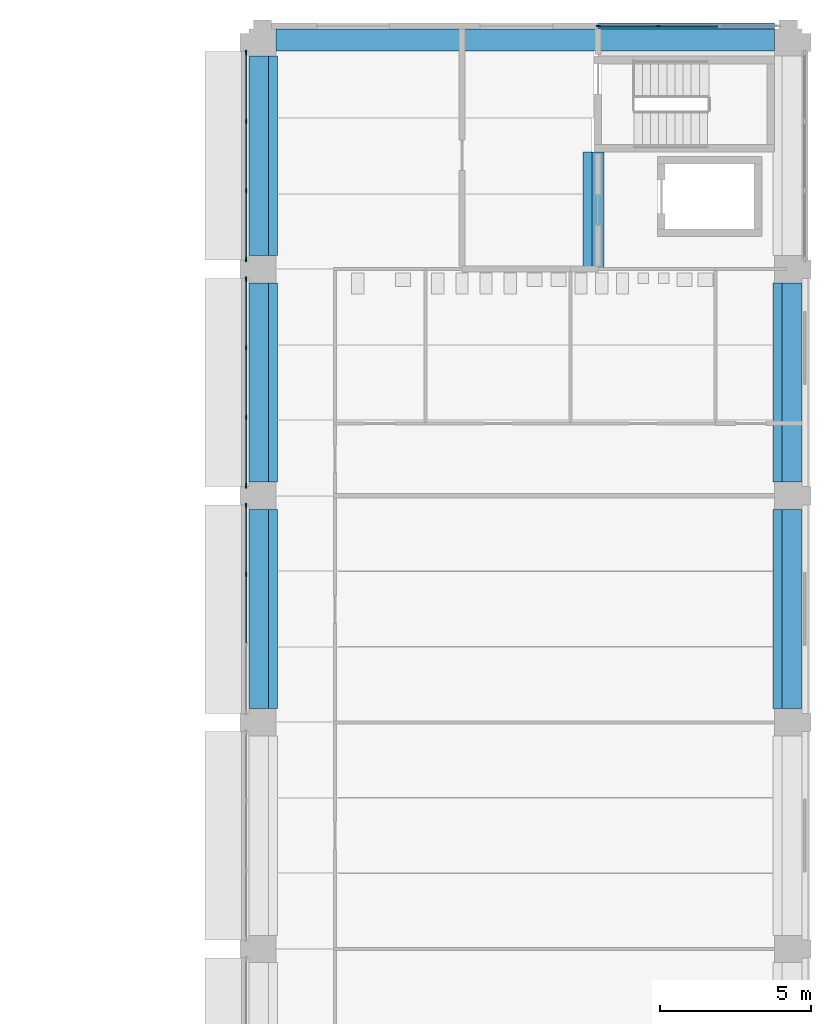
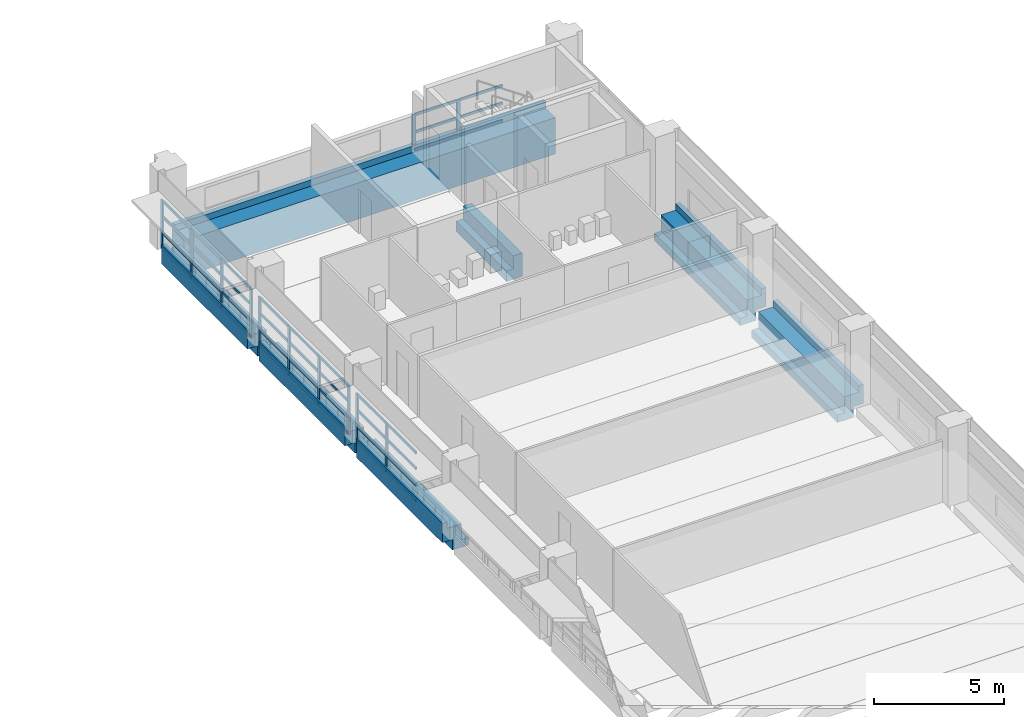
# One storey, part 19 of 57: 50 members, 7 beams, 4 elements without a shape of their own.
"""IFC4 building model written with IfcOpenShell, lengths in metres."""

import ifcopenshell
import ifcopenshell.guid

model = None  # the IFC model being written
_history = None  # IfcOwnerHistory: only IFC2X3 demands one
_inside = {}  # id of a spatial element -> (the spatial element, [elements in it])
_under = {}  # id of a project, library or spatial element -> (it, [spatial elements below it])
_declared = {}  # id of a project -> (the project, [libraries it declares])
_typed = {}  # id of a type object -> (the type object, [elements of that type])
_made_of = {}  # id of a material, layer set ... -> (it, [elements and type objects made of it])


def new_model(schema):
    """Start an empty IFC model of exactly this schema.

    Asked for "IFC4X3", IfcOpenShell would pick the latest addendum, in which some entities
    have other attributes; the version numbers below select the first issue.
    IFC2X3 requires an IfcOwnerHistory on every rooted entity: one is made here for all.
    """
    global model, _history
    if schema == "IFC4X3":
        model = ifcopenshell.file(schema_version=(4, 3, 0, 0))
    else:
        model = ifcopenshell.file(schema=schema)
    _inside.clear()
    _under.clear()
    _declared.clear()
    _typed.clear()
    _made_of.clear()
    _history = None
    if model.schema == "IFC2X3":
        org = make("IfcOrganization", Name="unknown")
        user = make(
            "IfcPersonAndOrganization",
            ThePerson=make("IfcPerson", FamilyName="unknown"),
            TheOrganization=org,
        )
        app = make(
            "IfcApplication",
            ApplicationDeveloper=org,
            Version="unknown",
            ApplicationFullName="unknown",
            ApplicationIdentifier="unknown",
        )
        _history = make(
            "IfcOwnerHistory",
            OwningUser=user,
            OwningApplication=app,
            ChangeAction="ADDED",
            CreationDate=0,
        )
    return model


def make(cls, **values):
    """One entity of the class cls with the attributes given. An attribute that is None is left unset."""
    return model.create_entity(
        cls, **{name: value for name, value in values.items() if value is not None}
    )


def rooted(cls, **values):
    """An entity with a GlobalId (a new one), such as an element, a storey or a relation."""
    return make(cls, GlobalId=ifcopenshell.guid.new(), OwnerHistory=_history, **values)


def si_unit(unit_type, name, prefix=None):
    """IfcSIUnit, for example si_unit("LENGTHUNIT", "METRE", prefix="MILLI")."""
    return make("IfcSIUnit", UnitType=unit_type, Prefix=prefix, Name=name)


def assignment(units):
    """IfcUnitAssignment: the units of a project."""
    return None if units is None else make("IfcUnitAssignment", Units=units)


def point(xyz):
    """IfcCartesianPoint."""
    return None if xyz is None else make("IfcCartesianPoint", Coordinates=xyz)


def direction(xyz):
    """IfcDirection."""
    return None if xyz is None else make("IfcDirection", DirectionRatios=xyz)


def frame(location, z_axis=None, x_axis=None):
    """IfcAxis2Placement3D, a coordinate frame: its origin and axes. An axis left out is left unset."""
    return make(
        "IfcAxis2Placement3D",
        Location=point(location),
        Axis=direction(z_axis),
        RefDirection=direction(x_axis),
    )


def frame_2d(location, x_axis=None):
    """IfcAxis2Placement2D, a coordinate frame in the plane: its origin and x axis."""
    return make(
        "IfcAxis2Placement2D", Location=point(location), RefDirection=direction(x_axis)
    )


def origin():
    """The frame at (0, 0, 0) with its axes left unset."""
    return frame((0.0, 0.0, 0.0))


def origin_2d():
    """The frame at (0, 0) in the plane with its x axis left unset."""
    return frame_2d((0.0, 0.0))


def place(relative_to, where):
    """IfcLocalPlacement: puts the frame where relative to a parent placement (None: the world)."""
    return make(
        "IfcLocalPlacement", PlacementRelTo=relative_to, RelativePlacement=where
    )


def context(
    kind, dimensions, precision=None, world=None, true_north=None, identifier=None
):
    """IfcGeometricRepresentationContext, for example the 3D "Model" context."""
    return make(
        "IfcGeometricRepresentationContext",
        ContextIdentifier=identifier,
        ContextType=kind,
        CoordinateSpaceDimension=dimensions,
        Precision=precision,
        WorldCoordinateSystem=world,
        TrueNorth=true_north,
    )


def subcontext(parent, identifier, kind, view, scale=None):
    """IfcGeometricRepresentationSubContext, for example "Body" below "Model"."""
    return make(
        "IfcGeometricRepresentationSubContext",
        ContextIdentifier=identifier,
        ContextType=kind,
        ParentContext=parent,
        TargetScale=scale,
        TargetView=view,
    )


def project(units=None, contexts=None):
    """IfcProject with its units and contexts."""
    return rooted(
        "IfcProject",
        Name="project",
        RepresentationContexts=contexts,
        UnitsInContext=assignment(units),
    )


def spatial(cls, under=None, at=None, **own):
    """A site, building, storey or space (cls), placed at a placement, below another one or the project."""
    s = rooted(cls, ObjectPlacement=at, **own)
    if under is not None:
        _under.setdefault(under.id(), (under, []))[1].append(s)
    return s


def polyline(points):
    """IfcPolyline through the points."""
    return make("IfcPolyline", Points=[point(p) for p in points])


def profile(cls, at=None, kind="AREA", **sizes):
    """A parametric profile (cls). Its sizes go by their IFC names, for example OverallWidth=200.0."""
    return make(cls, ProfileType=kind, Position=at, **sizes)


def rectangle(**sizes):
    """IfcRectangleProfileDef."""
    return profile("IfcRectangleProfileDef", **sizes)


def outline(outer, holes=None, kind="AREA"):
    """IfcArbitraryClosedProfileDef: a profile drawn as a closed curve; with holes, ...WithVoids."""
    if holes is None:
        return make("IfcArbitraryClosedProfileDef", ProfileType=kind, OuterCurve=outer)
    return make(
        "IfcArbitraryProfileDefWithVoids",
        ProfileType=kind,
        OuterCurve=outer,
        InnerCurves=holes,
    )


def extrude(swept, where, along, depth):
    """IfcExtrudedAreaSolid: the profile swept, set in the frame where, extruded along a direction by depth."""
    return make(
        "IfcExtrudedAreaSolid",
        SweptArea=swept,
        Position=where,
        ExtrudedDirection=direction(along),
        Depth=depth,
    )


def shape(context_of_items, identifier, shape_type, items):
    """IfcShapeRepresentation: the items that make up one representation, for example the "Body"."""
    return make(
        "IfcShapeRepresentation",
        ContextOfItems=context_of_items,
        RepresentationIdentifier=identifier,
        RepresentationType=shape_type,
        Items=items,
    )


def material(Name=None, Category=None):
    """IfcMaterial."""
    return make("IfcMaterial", Name=Name, Category=Category)


def layer(
    of_material, thickness, ventilated=None, Name=None, Category=None, Priority=None
):
    """IfcMaterialLayer: one layer of a wall or slab, of a material (None: an air gap)."""
    return make(
        "IfcMaterialLayer",
        Material=of_material,
        LayerThickness=thickness,
        IsVentilated=ventilated,
        Name=Name,
        Category=Category,
        Priority=Priority,
    )


def layer_set(layers, Name=None):
    """IfcMaterialLayerSet."""
    return make("IfcMaterialLayerSet", MaterialLayers=layers, LayerSetName=Name)


def material_profile(
    of_material, cross_section, Name=None, Category=None, Priority=None
):
    """IfcMaterialProfile: a cross section and its material."""
    return make(
        "IfcMaterialProfile",
        Name=Name,
        Material=of_material,
        Profile=cross_section,
        Priority=Priority,
        Category=Category,
    )


def profile_set(profiles, Name=None, composite=None):
    """IfcMaterialProfileSet."""
    return make(
        "IfcMaterialProfileSet",
        Name=Name,
        MaterialProfiles=profiles,
        CompositeProfile=composite,
    )


def made_of(thing, what):
    """Note that an element or type object is made of a material, layer set ...; save() writes the relation."""
    if what is not None:
        _made_of.setdefault(what.id(), (what, []))[1].append(thing)
    return thing


def type_object(cls, material=None, **own):
    """A type object (cls), such as IfcWallType, which elements share."""
    return made_of(rooted(cls, **own), material)


def element(
    cls,
    number,
    at=None,
    inside=None,
    cuts=None,
    type_object=None,
    material=None,
    context=None,
    identifier="Body",
    shape_type=None,
    held_by="IfcProductDefinitionShape",
    body=None,
    shapes=None,
    **own,
):
    """One element of the class cls, such as IfcWall. Its Tag is "e" and its number.

    at: its placement. inside: the storey or other place that contains it. cuts: it is an
    opening in that element (IfcRelVoidsElement). A single representation is given by context,
    identifier, shape_type and body (its items); several are given by shapes. held_by: the class
    of the entity that holds the representations. save() writes the other relations.
    """
    e = rooted(cls, Tag="e%d" % number, ObjectPlacement=at, **own)
    if body is not None:
        shapes = [shape(context, identifier, shape_type, body)]
    if shapes is not None:
        e.Representation = make(held_by, Representations=shapes)
    if inside is not None:
        _inside.setdefault(inside.id(), (inside, []))[1].append(e)
    if cuts is not None:
        rooted(
            "IfcRelVoidsElement", RelatingBuildingElement=cuts, RelatedOpeningElement=e
        )
    if type_object is not None:
        _typed.setdefault(type_object.id(), (type_object, []))[1].append(e)
    return made_of(e, material)


def aggregate(whole, parts):
    """IfcRelAggregates: a whole, such as a stair, and the parts it consists of."""
    return rooted("IfcRelAggregates", RelatingObject=whole, RelatedObjects=parts)


def save(model, path):
    """Write the relations noted so far, then the file.

    IfcRelAggregates (storeys below a building ...), IfcRelContainedInSpatialStructure (elements
    in a storey), IfcRelDefinesByType, IfcRelAssociatesMaterial and IfcRelDeclares: one each for
    every whole, place, type object, material and project.
    """
    for whole, parts in _under.values():
        aggregate(whole, parts)
    for where, things in _inside.values():
        rooted(
            "IfcRelContainedInSpatialStructure",
            RelatedElements=things,
            RelatingStructure=where,
        )
    for kind, things in _typed.values():
        rooted("IfcRelDefinesByType", RelatedObjects=things, RelatingType=kind)
    for what, things in _made_of.values():
        rooted("IfcRelAssociatesMaterial", RelatedObjects=things, RelatingMaterial=what)
    for by, libraries in _declared.values():
        rooted("IfcRelDeclares", RelatingContext=by, RelatedDefinitions=libraries)
    model.write(path)


model = new_model("IFC4")

# Units and contexts
model_context = context("Model", 3, precision=1e-05, world=origin(), true_north=direction((0.0, 1.0)))
body_context = subcontext(model_context, "Body", "Model", "MODEL_VIEW")
ifc_project = project(units=[si_unit("LENGTHUNIT", "METRE"), si_unit("AREAUNIT", "SQUARE_METRE"), si_unit("VOLUMEUNIT", "CUBIC_METRE"), si_unit("PLANEANGLEUNIT", "RADIAN"), si_unit("MASSUNIT", "GRAM", prefix="KILO")], contexts=[model_context])

# Site, building, storey
site_placement = place(None, origin())
site = spatial("IfcSite", under=ifc_project, at=site_placement, CompositionType="ELEMENT")
building_placement = place(site_placement, origin())
building = spatial("IfcBuilding", under=site, at=building_placement, Name="Cour d'Honneur Mobility Palace", CompositionType="ELEMENT")
storey_placement = place(building_placement, frame((0.0, 0.0, 8.199951171875)))
storey = spatial("IfcBuildingStorey", under=building, at=storey_placement, Name="L02", CompositionType="ELEMENT", Elevation=8.199951171875)

# Curtain wall, members
ifc_material_1 = material(Name="Aluminium and glass", Category="aluminium")
ifc_layer = layer(ifc_material_1, 0.10009765625)
ifc_layer_set = layer_set([ifc_layer], Name="Aluminium and glass")
curtain_wall_type = type_object("IfcCurtainWallType", Name="Curtain wall run", PredefinedType="NOTDEFINED", material=ifc_layer_set)
curtain_wall_1_placement = place(storey_placement, origin())
curtain_wall_1 = element("IfcCurtainWall", 1, at=curtain_wall_1_placement, inside=storey, type_object=curtain_wall_type, Name="Curtain wall CW-51", PredefinedType="NOTDEFINED")
ifc_material_2 = material(Name="Aluminium", Category="aluminium")
ifc_material_profile_1 = material_profile(ifc_material_2, rectangle(XDim=0.06005859375, YDim=0.159912109375, at=origin_2d()), Name="Curtain wall mullion")
ifc_profile_set_1 = profile_set([ifc_material_profile_1], Name="Aluminium")
member_type_1 = type_object("IfcMemberType", Name="Curtain wall mullion", PredefinedType="MULLION", material=ifc_profile_set_1)
member_1_placement = place(storey_placement, frame((144.35009765625, 114.570068359375, 0.0), z_axis=(0.0, 0.0, 1.0), x_axis=(1.0, 0.0, 0.0)))
member_1 = element("IfcMember", 2, at=member_1_placement, type_object=member_type_1, Name="CW-51 mullion 1", PredefinedType="MULLION", context=body_context, shape_type="SweptSolid", body=[
    extrude(rectangle(XDim=0.06005859375, YDim=0.159912109375, at=origin_2d()), origin(), (0.0, 0.0, 1.0), 2.300048828125),
])
member_2_placement = place(storey_placement, frame((144.35009765625, 112.300048828125, 0.0), z_axis=(0.0, 0.0, 1.0), x_axis=(1.0, 0.0, 0.0)))
member_2 = element("IfcMember", 3, at=member_2_placement, type_object=member_type_1, Name="CW-51 mullion 2", PredefinedType="MULLION", context=body_context, shape_type="SweptSolid", body=[
    extrude(rectangle(XDim=0.06005859375, YDim=0.159912109375, at=origin_2d()), origin(), (0.0, 0.0, 1.0), 2.300048828125),
])
member_3_placement = place(storey_placement, frame((144.35009765625, 110.0, 0.0), z_axis=(0.0, 0.0, 1.0), x_axis=(1.0, 0.0, 0.0)))
member_3 = element("IfcMember", 4, at=member_3_placement, type_object=member_type_1, Name="CW-51 mullion 3", PredefinedType="MULLION", context=body_context, shape_type="SweptSolid", body=[
    extrude(rectangle(XDim=0.06005859375, YDim=0.159912109375, at=origin_2d()), origin(), (0.0, 0.0, 1.0), 2.300048828125),
])
member_4_placement = place(storey_placement, frame((144.35009765625, 107.72998046875, 0.0), z_axis=(0.0, 0.0, 1.0), x_axis=(1.0, 0.0, 0.0)))
member_4 = element("IfcMember", 5, at=member_4_placement, type_object=member_type_1, Name="CW-51 mullion 4", PredefinedType="MULLION", context=body_context, shape_type="SweptSolid", body=[
    extrude(rectangle(XDim=0.06005859375, YDim=0.159912109375, at=origin_2d()), origin(), (0.0, 0.0, 1.0), 2.300048828125),
])

curtain_wall_2_placement = place(storey_placement, origin())
curtain_wall_2 = element("IfcCurtainWall", 6, at=curtain_wall_2_placement, inside=storey, type_object=curtain_wall_type, Name="Curtain wall CW-52", PredefinedType="NOTDEFINED")
member_5_placement = place(storey_placement, frame((144.35009765625, 107.070068359375, 0.0), z_axis=(0.0, 0.0, 1.0), x_axis=(1.0, 0.0, 0.0)))
member_5 = element("IfcMember", 7, at=member_5_placement, type_object=member_type_1, Name="CW-52 mullion 1", PredefinedType="MULLION", context=body_context, shape_type="SweptSolid", body=[
    extrude(rectangle(XDim=0.06005859375, YDim=0.159912109375, at=origin_2d()), origin(), (0.0, 0.0, 1.0), 2.300048828125),
])
member_6_placement = place(storey_placement, frame((144.35009765625, 104.800048828125, 0.0), z_axis=(0.0, 0.0, 1.0), x_axis=(1.0, 0.0, 0.0)))
member_6 = element("IfcMember", 8, at=member_6_placement, type_object=member_type_1, Name="CW-52 mullion 2", PredefinedType="MULLION", context=body_context, shape_type="SweptSolid", body=[
    extrude(rectangle(XDim=0.06005859375, YDim=0.159912109375, at=origin_2d()), origin(), (0.0, 0.0, 1.0), 2.300048828125),
])
member_7_placement = place(storey_placement, frame((144.35009765625, 102.5, 0.0), z_axis=(0.0, 0.0, 1.0), x_axis=(1.0, 0.0, 0.0)))
member_7 = element("IfcMember", 9, at=member_7_placement, type_object=member_type_1, Name="CW-52 mullion 3", PredefinedType="MULLION", context=body_context, shape_type="SweptSolid", body=[
    extrude(rectangle(XDim=0.06005859375, YDim=0.159912109375, at=origin_2d()), origin(), (0.0, 0.0, 1.0), 2.300048828125),
])
member_8_placement = place(storey_placement, frame((144.35009765625, 100.22998046875, 0.0), z_axis=(0.0, 0.0, 1.0), x_axis=(1.0, 0.0, 0.0)))
member_8 = element("IfcMember", 10, at=member_8_placement, type_object=member_type_1, Name="CW-52 mullion 4", PredefinedType="MULLION", context=body_context, shape_type="SweptSolid", body=[
    extrude(rectangle(XDim=0.06005859375, YDim=0.159912109375, at=origin_2d()), origin(), (0.0, 0.0, 1.0), 2.300048828125),
])

curtain_wall_3_placement = place(storey_placement, origin())
curtain_wall_3 = element("IfcCurtainWall", 11, at=curtain_wall_3_placement, inside=storey, type_object=curtain_wall_type, Name="Curtain wall CW-53", PredefinedType="NOTDEFINED")
member_9_placement = place(storey_placement, frame((144.35009765625, 99.570068359375, 0.0), z_axis=(0.0, 0.0, 1.0), x_axis=(1.0, 0.0, 0.0)))
member_9 = element("IfcMember", 12, at=member_9_placement, type_object=member_type_1, Name="CW-53 mullion 1", PredefinedType="MULLION", context=body_context, shape_type="SweptSolid", body=[
    extrude(rectangle(XDim=0.06005859375, YDim=0.159912109375, at=origin_2d()), origin(), (0.0, 0.0, 1.0), 2.300048828125),
])
member_10_placement = place(storey_placement, frame((144.35009765625, 97.300048828125, 0.0), z_axis=(0.0, 0.0, 1.0), x_axis=(1.0, 0.0, 0.0)))
member_10 = element("IfcMember", 13, at=member_10_placement, type_object=member_type_1, Name="CW-53 mullion 2", PredefinedType="MULLION", context=body_context, shape_type="SweptSolid", body=[
    extrude(rectangle(XDim=0.06005859375, YDim=0.159912109375, at=origin_2d()), origin(), (0.0, 0.0, 1.0), 2.300048828125),
])

curtain_wall_4_placement = place(storey_placement, origin())
curtain_wall_4 = element("IfcCurtainWall", 14, at=curtain_wall_4_placement, inside=storey, type_object=curtain_wall_type, Name="Curtain wall CW-116", PredefinedType="NOTDEFINED")
member_11_placement = place(storey_placement, frame((158.0, 115.449951171875, 0.0), z_axis=(0.0, 0.0, 1.0), x_axis=(0.0, -1.0, 0.0)))
member_11 = element("IfcMember", 15, at=member_11_placement, type_object=member_type_1, Name="CW-116 mullion 3", PredefinedType="MULLION", context=body_context, shape_type="SweptSolid", body=[
    extrude(rectangle(XDim=0.06005859375, YDim=0.159912109375, at=origin_2d()), origin(), (0.0, 0.0, 1.0), 1.699951171875),
])
member_12_placement = place(storey_placement, frame((156.030029296875, 115.449951171875, 0.0), z_axis=(0.0, 0.0, 1.0), x_axis=(0.0, -1.0, 0.0)))
member_12 = element("IfcMember", 16, at=member_12_placement, type_object=member_type_1, Name="CW-116 mullion 4", PredefinedType="MULLION", context=body_context, shape_type="SweptSolid", body=[
    extrude(rectangle(XDim=0.06005859375, YDim=0.159912109375, at=origin_2d()), origin(), (0.0, 0.0, 1.0), 1.699951171875),
])

# Member
ifc_material_3 = material(Name="Aluminium", Category="aluminium")
ifc_material_profile_2 = material_profile(ifc_material_3, rectangle(XDim=0.06005859375, YDim=0.1201171875, at=origin_2d()), Name="Curtain wall transom")
ifc_profile_set_2 = profile_set([ifc_material_profile_2], Name="Aluminium")
member_type_2 = type_object("IfcMemberType", Name="Curtain wall transom", PredefinedType="USERDEFINED", material=ifc_profile_set_2)
member_13_placement = place(storey_placement, frame((144.35009765625, 114.5400390625, 0.030029296875), z_axis=(0.0, -1.0, 0.0), x_axis=(1.0, 0.0, 0.0)))
member_13 = element("IfcMember", 17, at=member_13_placement, type_object=member_type_2, Name="CW-51 transom 1.1", ObjectType="TRANSOM", PredefinedType="USERDEFINED", context=body_context, shape_type="SweptSolid", body=[
    extrude(rectangle(XDim=0.06005859375, YDim=0.1201171875, at=origin_2d()), origin(), (0.0, 0.0, 1.0), 2.2099609375),
])

member_14_placement = place(storey_placement, frame((144.35009765625, 114.5400390625, 0.7666015625), z_axis=(0.0, -1.0, 0.0), x_axis=(1.0, 0.0, 0.0)))
member_14 = element("IfcMember", 18, at=member_14_placement, type_object=member_type_2, Name="CW-51 transom 1.2", ObjectType="TRANSOM", PredefinedType="USERDEFINED", context=body_context, shape_type="SweptSolid", body=[
    extrude(rectangle(XDim=0.06005859375, YDim=0.1201171875, at=origin_2d()), origin(), (0.0, 0.0, 1.0), 2.2099609375),
])

member_15_placement = place(storey_placement, frame((144.35009765625, 114.5400390625, 1.533447265625), z_axis=(0.0, -1.0, 0.0), x_axis=(1.0, 0.0, 0.0)))
member_15 = element("IfcMember", 19, at=member_15_placement, type_object=member_type_2, Name="CW-51 transom 1.3", ObjectType="TRANSOM", PredefinedType="USERDEFINED", context=body_context, shape_type="SweptSolid", body=[
    extrude(rectangle(XDim=0.06005859375, YDim=0.1201171875, at=origin_2d()), origin(), (0.0, 0.0, 1.0), 2.2099609375),
])

member_16_placement = place(storey_placement, frame((144.35009765625, 114.5400390625, 2.27001953125), z_axis=(0.0, -1.0, 0.0), x_axis=(1.0, 0.0, 0.0)))
member_16 = element("IfcMember", 20, at=member_16_placement, type_object=member_type_2, Name="CW-51 transom 1.4", ObjectType="TRANSOM", PredefinedType="USERDEFINED", context=body_context, shape_type="SweptSolid", body=[
    extrude(rectangle(XDim=0.06005859375, YDim=0.1201171875, at=origin_2d()), origin(), (0.0, 0.0, 1.0), 2.2099609375),
])

member_17_placement = place(storey_placement, frame((144.35009765625, 112.27001953125, 0.030029296875), z_axis=(0.0, -1.0, 0.0), x_axis=(1.0, 0.0, 0.0)))
member_17 = element("IfcMember", 21, at=member_17_placement, type_object=member_type_2, Name="CW-51 transom 2.1", ObjectType="TRANSOM", PredefinedType="USERDEFINED", context=body_context, shape_type="SweptSolid", body=[
    extrude(rectangle(XDim=0.06005859375, YDim=0.1201171875, at=origin_2d()), origin(), (0.0, 0.0, 1.0), 2.239990234375),
])

member_18_placement = place(storey_placement, frame((144.35009765625, 112.27001953125, 0.7666015625), z_axis=(0.0, -1.0, 0.0), x_axis=(1.0, 0.0, 0.0)))
member_18 = element("IfcMember", 22, at=member_18_placement, type_object=member_type_2, Name="CW-51 transom 2.2", ObjectType="TRANSOM", PredefinedType="USERDEFINED", context=body_context, shape_type="SweptSolid", body=[
    extrude(rectangle(XDim=0.06005859375, YDim=0.1201171875, at=origin_2d()), origin(), (0.0, 0.0, 1.0), 2.239990234375),
])

member_19_placement = place(storey_placement, frame((144.35009765625, 112.27001953125, 1.533447265625), z_axis=(0.0, -1.0, 0.0), x_axis=(1.0, 0.0, 0.0)))
member_19 = element("IfcMember", 23, at=member_19_placement, type_object=member_type_2, Name="CW-51 transom 2.3", ObjectType="TRANSOM", PredefinedType="USERDEFINED", context=body_context, shape_type="SweptSolid", body=[
    extrude(rectangle(XDim=0.06005859375, YDim=0.1201171875, at=origin_2d()), origin(), (0.0, 0.0, 1.0), 2.239990234375),
])

member_20_placement = place(storey_placement, frame((144.35009765625, 112.27001953125, 2.27001953125), z_axis=(0.0, -1.0, 0.0), x_axis=(1.0, 0.0, 0.0)))
member_20 = element("IfcMember", 24, at=member_20_placement, type_object=member_type_2, Name="CW-51 transom 2.4", ObjectType="TRANSOM", PredefinedType="USERDEFINED", context=body_context, shape_type="SweptSolid", body=[
    extrude(rectangle(XDim=0.06005859375, YDim=0.1201171875, at=origin_2d()), origin(), (0.0, 0.0, 1.0), 2.239990234375),
])

member_21_placement = place(storey_placement, frame((144.35009765625, 109.969970703125, 0.030029296875), z_axis=(0.0, -1.0, 0.0), x_axis=(1.0, 0.0, 0.0)))
member_21 = element("IfcMember", 25, at=member_21_placement, type_object=member_type_2, Name="CW-51 transom 3.1", ObjectType="TRANSOM", PredefinedType="USERDEFINED", context=body_context, shape_type="SweptSolid", body=[
    extrude(rectangle(XDim=0.06005859375, YDim=0.1201171875, at=origin_2d()), origin(), (0.0, 0.0, 1.0), 2.2099609375),
])

member_22_placement = place(storey_placement, frame((144.35009765625, 109.969970703125, 0.7666015625), z_axis=(0.0, -1.0, 0.0), x_axis=(1.0, 0.0, 0.0)))
member_22 = element("IfcMember", 26, at=member_22_placement, type_object=member_type_2, Name="CW-51 transom 3.2", ObjectType="TRANSOM", PredefinedType="USERDEFINED", context=body_context, shape_type="SweptSolid", body=[
    extrude(rectangle(XDim=0.06005859375, YDim=0.1201171875, at=origin_2d()), origin(), (0.0, 0.0, 1.0), 2.2099609375),
])

member_23_placement = place(storey_placement, frame((144.35009765625, 109.969970703125, 1.533447265625), z_axis=(0.0, -1.0, 0.0), x_axis=(1.0, 0.0, 0.0)))
member_23 = element("IfcMember", 27, at=member_23_placement, type_object=member_type_2, Name="CW-51 transom 3.3", ObjectType="TRANSOM", PredefinedType="USERDEFINED", context=body_context, shape_type="SweptSolid", body=[
    extrude(rectangle(XDim=0.06005859375, YDim=0.1201171875, at=origin_2d()), origin(), (0.0, 0.0, 1.0), 2.2099609375),
])

member_24_placement = place(storey_placement, frame((144.35009765625, 109.969970703125, 2.27001953125), z_axis=(0.0, -1.0, 0.0), x_axis=(1.0, 0.0, 0.0)))
member_24 = element("IfcMember", 28, at=member_24_placement, type_object=member_type_2, Name="CW-51 transom 3.4", ObjectType="TRANSOM", PredefinedType="USERDEFINED", context=body_context, shape_type="SweptSolid", body=[
    extrude(rectangle(XDim=0.06005859375, YDim=0.1201171875, at=origin_2d()), origin(), (0.0, 0.0, 1.0), 2.2099609375),
])

aggregate(curtain_wall_1, [member_1, member_2, member_3, member_4, member_13, member_14, member_15, member_16, member_17, member_18, member_19, member_20, member_21, member_22, member_23, member_24])

member_25_placement = place(storey_placement, frame((144.35009765625, 107.0400390625, 0.030029296875), z_axis=(0.0, -1.0, 0.0), x_axis=(1.0, 0.0, 0.0)))
member_25 = element("IfcMember", 29, at=member_25_placement, type_object=member_type_2, Name="CW-52 transom 1.1", ObjectType="TRANSOM", PredefinedType="USERDEFINED", context=body_context, shape_type="SweptSolid", body=[
    extrude(rectangle(XDim=0.06005859375, YDim=0.1201171875, at=origin_2d()), origin(), (0.0, 0.0, 1.0), 2.2099609375),
])

member_26_placement = place(storey_placement, frame((144.35009765625, 107.0400390625, 0.7666015625), z_axis=(0.0, -1.0, 0.0), x_axis=(1.0, 0.0, 0.0)))
member_26 = element("IfcMember", 30, at=member_26_placement, type_object=member_type_2, Name="CW-52 transom 1.2", ObjectType="TRANSOM", PredefinedType="USERDEFINED", context=body_context, shape_type="SweptSolid", body=[
    extrude(rectangle(XDim=0.06005859375, YDim=0.1201171875, at=origin_2d()), origin(), (0.0, 0.0, 1.0), 2.2099609375),
])

member_27_placement = place(storey_placement, frame((144.35009765625, 107.0400390625, 1.533447265625), z_axis=(0.0, -1.0, 0.0), x_axis=(1.0, 0.0, 0.0)))
member_27 = element("IfcMember", 31, at=member_27_placement, type_object=member_type_2, Name="CW-52 transom 1.3", ObjectType="TRANSOM", PredefinedType="USERDEFINED", context=body_context, shape_type="SweptSolid", body=[
    extrude(rectangle(XDim=0.06005859375, YDim=0.1201171875, at=origin_2d()), origin(), (0.0, 0.0, 1.0), 2.2099609375),
])

member_28_placement = place(storey_placement, frame((144.35009765625, 107.0400390625, 2.27001953125), z_axis=(0.0, -1.0, 0.0), x_axis=(1.0, 0.0, 0.0)))
member_28 = element("IfcMember", 32, at=member_28_placement, type_object=member_type_2, Name="CW-52 transom 1.4", ObjectType="TRANSOM", PredefinedType="USERDEFINED", context=body_context, shape_type="SweptSolid", body=[
    extrude(rectangle(XDim=0.06005859375, YDim=0.1201171875, at=origin_2d()), origin(), (0.0, 0.0, 1.0), 2.2099609375),
])

member_29_placement = place(storey_placement, frame((144.35009765625, 104.77001953125, 0.030029296875), z_axis=(0.0, -1.0, 0.0), x_axis=(1.0, 0.0, 0.0)))
member_29 = element("IfcMember", 33, at=member_29_placement, type_object=member_type_2, Name="CW-52 transom 2.1", ObjectType="TRANSOM", PredefinedType="USERDEFINED", context=body_context, shape_type="SweptSolid", body=[
    extrude(rectangle(XDim=0.06005859375, YDim=0.1201171875, at=origin_2d()), origin(), (0.0, 0.0, 1.0), 2.239990234375),
])

member_30_placement = place(storey_placement, frame((144.35009765625, 104.77001953125, 0.7666015625), z_axis=(0.0, -1.0, 0.0), x_axis=(1.0, 0.0, 0.0)))
member_30 = element("IfcMember", 34, at=member_30_placement, type_object=member_type_2, Name="CW-52 transom 2.2", ObjectType="TRANSOM", PredefinedType="USERDEFINED", context=body_context, shape_type="SweptSolid", body=[
    extrude(rectangle(XDim=0.06005859375, YDim=0.1201171875, at=origin_2d()), origin(), (0.0, 0.0, 1.0), 2.239990234375),
])

member_31_placement = place(storey_placement, frame((144.35009765625, 104.77001953125, 1.533447265625), z_axis=(0.0, -1.0, 0.0), x_axis=(1.0, 0.0, 0.0)))
member_31 = element("IfcMember", 35, at=member_31_placement, type_object=member_type_2, Name="CW-52 transom 2.3", ObjectType="TRANSOM", PredefinedType="USERDEFINED", context=body_context, shape_type="SweptSolid", body=[
    extrude(rectangle(XDim=0.06005859375, YDim=0.1201171875, at=origin_2d()), origin(), (0.0, 0.0, 1.0), 2.239990234375),
])

member_32_placement = place(storey_placement, frame((144.35009765625, 104.77001953125, 2.27001953125), z_axis=(0.0, -1.0, 0.0), x_axis=(1.0, 0.0, 0.0)))
member_32 = element("IfcMember", 36, at=member_32_placement, type_object=member_type_2, Name="CW-52 transom 2.4", ObjectType="TRANSOM", PredefinedType="USERDEFINED", context=body_context, shape_type="SweptSolid", body=[
    extrude(rectangle(XDim=0.06005859375, YDim=0.1201171875, at=origin_2d()), origin(), (0.0, 0.0, 1.0), 2.239990234375),
])

member_33_placement = place(storey_placement, frame((144.35009765625, 102.469970703125, 0.030029296875), z_axis=(0.0, -1.0, 0.0), x_axis=(1.0, 0.0, 0.0)))
member_33 = element("IfcMember", 37, at=member_33_placement, type_object=member_type_2, Name="CW-52 transom 3.1", ObjectType="TRANSOM", PredefinedType="USERDEFINED", context=body_context, shape_type="SweptSolid", body=[
    extrude(rectangle(XDim=0.06005859375, YDim=0.1201171875, at=origin_2d()), origin(), (0.0, 0.0, 1.0), 2.2099609375),
])

member_34_placement = place(storey_placement, frame((144.35009765625, 102.469970703125, 0.7666015625), z_axis=(0.0, -1.0, 0.0), x_axis=(1.0, 0.0, 0.0)))
member_34 = element("IfcMember", 38, at=member_34_placement, type_object=member_type_2, Name="CW-52 transom 3.2", ObjectType="TRANSOM", PredefinedType="USERDEFINED", context=body_context, shape_type="SweptSolid", body=[
    extrude(rectangle(XDim=0.06005859375, YDim=0.1201171875, at=origin_2d()), origin(), (0.0, 0.0, 1.0), 2.2099609375),
])

member_35_placement = place(storey_placement, frame((144.35009765625, 102.469970703125, 1.533447265625), z_axis=(0.0, -1.0, 0.0), x_axis=(1.0, 0.0, 0.0)))
member_35 = element("IfcMember", 39, at=member_35_placement, type_object=member_type_2, Name="CW-52 transom 3.3", ObjectType="TRANSOM", PredefinedType="USERDEFINED", context=body_context, shape_type="SweptSolid", body=[
    extrude(rectangle(XDim=0.06005859375, YDim=0.1201171875, at=origin_2d()), origin(), (0.0, 0.0, 1.0), 2.2099609375),
])

member_36_placement = place(storey_placement, frame((144.35009765625, 102.469970703125, 2.27001953125), z_axis=(0.0, -1.0, 0.0), x_axis=(1.0, 0.0, 0.0)))
member_36 = element("IfcMember", 40, at=member_36_placement, type_object=member_type_2, Name="CW-52 transom 3.4", ObjectType="TRANSOM", PredefinedType="USERDEFINED", context=body_context, shape_type="SweptSolid", body=[
    extrude(rectangle(XDim=0.06005859375, YDim=0.1201171875, at=origin_2d()), origin(), (0.0, 0.0, 1.0), 2.2099609375),
])

aggregate(curtain_wall_2, [member_5, member_6, member_7, member_8, member_25, member_26, member_27, member_28, member_29, member_30, member_31, member_32, member_33, member_34, member_35, member_36])

member_37_placement = place(storey_placement, frame((144.35009765625, 99.5400390625, 0.030029296875), z_axis=(0.0, -1.0, 0.0), x_axis=(1.0, 0.0, 0.0)))
member_37 = element("IfcMember", 41, at=member_37_placement, type_object=member_type_2, Name="CW-53 transom 1.1", ObjectType="TRANSOM", PredefinedType="USERDEFINED", context=body_context, shape_type="SweptSolid", body=[
    extrude(rectangle(XDim=0.06005859375, YDim=0.1201171875, at=origin_2d()), origin(), (0.0, 0.0, 1.0), 2.2099609375),
])

member_38_placement = place(storey_placement, frame((144.35009765625, 99.5400390625, 0.7666015625), z_axis=(0.0, -1.0, 0.0), x_axis=(1.0, 0.0, 0.0)))
member_38 = element("IfcMember", 42, at=member_38_placement, type_object=member_type_2, Name="CW-53 transom 1.2", ObjectType="TRANSOM", PredefinedType="USERDEFINED", context=body_context, shape_type="SweptSolid", body=[
    extrude(rectangle(XDim=0.06005859375, YDim=0.1201171875, at=origin_2d()), origin(), (0.0, 0.0, 1.0), 2.2099609375),
])

member_39_placement = place(storey_placement, frame((144.35009765625, 99.5400390625, 1.533447265625), z_axis=(0.0, -1.0, 0.0), x_axis=(1.0, 0.0, 0.0)))
member_39 = element("IfcMember", 43, at=member_39_placement, type_object=member_type_2, Name="CW-53 transom 1.3", ObjectType="TRANSOM", PredefinedType="USERDEFINED", context=body_context, shape_type="SweptSolid", body=[
    extrude(rectangle(XDim=0.06005859375, YDim=0.1201171875, at=origin_2d()), origin(), (0.0, 0.0, 1.0), 2.2099609375),
])

member_40_placement = place(storey_placement, frame((144.35009765625, 99.5400390625, 2.27001953125), z_axis=(0.0, -1.0, 0.0), x_axis=(1.0, 0.0, 0.0)))
member_40 = element("IfcMember", 44, at=member_40_placement, type_object=member_type_2, Name="CW-53 transom 1.4", ObjectType="TRANSOM", PredefinedType="USERDEFINED", context=body_context, shape_type="SweptSolid", body=[
    extrude(rectangle(XDim=0.06005859375, YDim=0.1201171875, at=origin_2d()), origin(), (0.0, 0.0, 1.0), 2.2099609375),
])

member_41_placement = place(storey_placement, frame((144.35009765625, 97.27001953125, 0.030029296875), z_axis=(0.0, -1.0, 0.0), x_axis=(1.0, 0.0, 0.0)))
member_41 = element("IfcMember", 45, at=member_41_placement, type_object=member_type_2, Name="CW-53 transom 2.1", ObjectType="TRANSOM", PredefinedType="USERDEFINED", context=body_context, shape_type="SweptSolid", body=[
    extrude(rectangle(XDim=0.06005859375, YDim=0.1201171875, at=origin_2d()), origin(), (0.0, 0.0, 1.0), 2.239990234375),
])

member_42_placement = place(storey_placement, frame((144.35009765625, 97.27001953125, 0.7666015625), z_axis=(0.0, -1.0, 0.0), x_axis=(1.0, 0.0, 0.0)))
member_42 = element("IfcMember", 46, at=member_42_placement, type_object=member_type_2, Name="CW-53 transom 2.2", ObjectType="TRANSOM", PredefinedType="USERDEFINED", context=body_context, shape_type="SweptSolid", body=[
    extrude(rectangle(XDim=0.06005859375, YDim=0.1201171875, at=origin_2d()), origin(), (0.0, 0.0, 1.0), 2.239990234375),
])

member_43_placement = place(storey_placement, frame((144.35009765625, 97.27001953125, 1.533447265625), z_axis=(0.0, -1.0, 0.0), x_axis=(1.0, 0.0, 0.0)))
member_43 = element("IfcMember", 47, at=member_43_placement, type_object=member_type_2, Name="CW-53 transom 2.3", ObjectType="TRANSOM", PredefinedType="USERDEFINED", context=body_context, shape_type="SweptSolid", body=[
    extrude(rectangle(XDim=0.06005859375, YDim=0.1201171875, at=origin_2d()), origin(), (0.0, 0.0, 1.0), 2.239990234375),
])

member_44_placement = place(storey_placement, frame((144.35009765625, 97.27001953125, 2.27001953125), z_axis=(0.0, -1.0, 0.0), x_axis=(1.0, 0.0, 0.0)))
member_44 = element("IfcMember", 48, at=member_44_placement, type_object=member_type_2, Name="CW-53 transom 2.4", ObjectType="TRANSOM", PredefinedType="USERDEFINED", context=body_context, shape_type="SweptSolid", body=[
    extrude(rectangle(XDim=0.06005859375, YDim=0.1201171875, at=origin_2d()), origin(), (0.0, 0.0, 1.0), 2.239990234375),
])

aggregate(curtain_wall_3, [member_9, member_10, member_37, member_38, member_39, member_40, member_41, member_42, member_43, member_44])

member_45_placement = place(storey_placement, frame((159.969970703125, 115.449951171875, 0.030029296875), z_axis=(-1.0, 0.0, 0.0), x_axis=(0.0, -1.0, 0.0)))
member_45 = element("IfcMember", 49, at=member_45_placement, type_object=member_type_2, Name="CW-116 transom 2.1", ObjectType="TRANSOM", PredefinedType="USERDEFINED", context=body_context, shape_type="SweptSolid", body=[
    extrude(rectangle(XDim=0.06005859375, YDim=0.1201171875, at=origin_2d()), origin(), (0.0, 0.0, 1.0), 1.93994140625),
])

member_46_placement = place(storey_placement, frame((159.969970703125, 115.449951171875, 0.85009765625), z_axis=(-1.0, 0.0, 0.0), x_axis=(0.0, -1.0, 0.0)))
member_46 = element("IfcMember", 50, at=member_46_placement, type_object=member_type_2, Name="CW-116 transom 2.2", ObjectType="TRANSOM", PredefinedType="USERDEFINED", context=body_context, shape_type="SweptSolid", body=[
    extrude(rectangle(XDim=0.06005859375, YDim=0.1201171875, at=origin_2d()), origin(), (0.0, 0.0, 1.0), 1.93994140625),
])

member_47_placement = place(storey_placement, frame((159.969970703125, 115.449951171875, 1.670166015625), z_axis=(-1.0, 0.0, 0.0), x_axis=(0.0, -1.0, 0.0)))
member_47 = element("IfcMember", 51, at=member_47_placement, type_object=member_type_2, Name="CW-116 transom 2.3", ObjectType="TRANSOM", PredefinedType="USERDEFINED", context=body_context, shape_type="SweptSolid", body=[
    extrude(rectangle(XDim=0.06005859375, YDim=0.1201171875, at=origin_2d()), origin(), (0.0, 0.0, 1.0), 1.93994140625),
])

member_48_placement = place(storey_placement, frame((157.969970703125, 115.449951171875, 0.030029296875), z_axis=(-1.0, 0.0, 0.0), x_axis=(0.0, -1.0, 0.0)))
member_48 = element("IfcMember", 52, at=member_48_placement, type_object=member_type_2, Name="CW-116 transom 3.1", ObjectType="TRANSOM", PredefinedType="USERDEFINED", context=body_context, shape_type="SweptSolid", body=[
    extrude(rectangle(XDim=0.06005859375, YDim=0.1201171875, at=origin_2d()), origin(), (0.0, 0.0, 1.0), 1.909912109375),
])

member_49_placement = place(storey_placement, frame((157.969970703125, 115.449951171875, 0.85009765625), z_axis=(-1.0, 0.0, 0.0), x_axis=(0.0, -1.0, 0.0)))
member_49 = element("IfcMember", 53, at=member_49_placement, type_object=member_type_2, Name="CW-116 transom 3.2", ObjectType="TRANSOM", PredefinedType="USERDEFINED", context=body_context, shape_type="SweptSolid", body=[
    extrude(rectangle(XDim=0.06005859375, YDim=0.1201171875, at=origin_2d()), origin(), (0.0, 0.0, 1.0), 1.909912109375),
])

member_50_placement = place(storey_placement, frame((157.969970703125, 115.449951171875, 1.670166015625), z_axis=(-1.0, 0.0, 0.0), x_axis=(0.0, -1.0, 0.0)))
member_50 = element("IfcMember", 54, at=member_50_placement, type_object=member_type_2, Name="CW-116 transom 3.3", ObjectType="TRANSOM", PredefinedType="USERDEFINED", context=body_context, shape_type="SweptSolid", body=[
    extrude(rectangle(XDim=0.06005859375, YDim=0.1201171875, at=origin_2d()), origin(), (0.0, 0.0, 1.0), 1.909912109375),
])

aggregate(curtain_wall_4, [member_11, member_12, member_45, member_46, member_47, member_48, member_49, member_50])

# Beams
ifc_material_4 = material(Name="Concrete C45", Category="concrete")
ifc_material_profile_3 = material_profile(ifc_material_4, outline(polyline([(0.27490234375, -1.699951171875), (0.27490234375, -0.60009765625), (0.64990234375, -0.60009765625), (0.64990234375, 0.300048828125), (0.449951171875, 0.300048828125), (0.449951171875, 0.0), (0.27490234375, 0.0), (-0.27490234375, 0.0), (-0.27490234375, -1.699951171875), (0.27490234375, -1.699951171875)])), Name="Edge Spandrel Beam 550x1700 no ledge facade left")
ifc_profile_set_3 = profile_set([ifc_material_profile_3], Name="Concrete C45")
beam_type_1 = type_object("IfcBeamType", Name="Edge Spandrel Beam 550x1700 no ledge facade left", PredefinedType="SPANDREL", material=ifc_profile_set_3)
beam_1_placement = place(storey_placement, frame((145.35009765625, 114.89990234375, 0.0), z_axis=(1.0, 0.0, 0.0), x_axis=(0.0, 1.0, 0.0)))
element("IfcBeam", 55, at=beam_1_placement, inside=storey, type_object=beam_type_1, Name="Precast beam B7 19-20 L02", PredefinedType="SPANDREL", context=body_context, shape_type="SweptSolid", body=[
    extrude(outline(polyline([(0.27490234375, -1.699951171875), (0.27490234375, -0.60009765625), (0.64990234375, -0.60009765625), (0.64990234375, 0.300048828125), (0.449951171875, 0.300048828125), (0.449951171875, 0.0), (0.27490234375, 0.0), (-0.27490234375, 0.0), (-0.27490234375, -1.699951171875), (0.27490234375, -1.699951171875)])), origin(), (0.0, 0.0, 1.0), 16.5),
])
ifc_material_5 = material(Name="Concrete C45", Category="concrete")
ifc_material_profile_4 = material_profile(ifc_material_5, outline(polyline([(0.5, -1.10009765625), (0.5, -0.75), (0.199951171875, -0.75), (0.199951171875, 0.0), (-0.199951171875, 0.0), (-0.449951171875, 0.0), (-0.449951171875, 0.300048828125), (-0.64990234375, 0.300048828125), (-0.64990234375, -0.60009765625), (-0.199951171875, -0.60009765625), (-0.199951171875, -1.10009765625), (0.5, -1.10009765625)])), Name="Ledger Beam 400x1100 ledge left 350 facade right")
ifc_profile_set_4 = profile_set([ifc_material_profile_4], Name="Concrete C45")
beam_type_2 = type_object("IfcBeamType", Name="Ledger Beam 400x1100 ledge left 350 facade right", PredefinedType="BEAM", material=ifc_profile_set_4)
for number, where, z_axis, x_axis, name in (
    (56, (162.300048828125, 92.85009765625, 0.0), (0.0, 1.0, 0.0), (-1.0, 0.0, 0.0), "Precast beam B2 M-N L02"),
    (57, (162.300048828125, 100.35009765625, 0.0), (0.0, 1.0, 0.0), (-1.0, 0.0, 0.0), "Precast beam B2 N-P L02"),
):
    element("IfcBeam", number, at=place(storey_placement, frame(where, z_axis=z_axis, x_axis=x_axis)), inside=storey, type_object=beam_type_2, Name=name, PredefinedType="BEAM", context=body_context, shape_type="SweptSolid", body=[
        extrude(outline(polyline([(0.5, -1.10009765625), (0.5, -0.75), (0.199951171875, -0.75), (0.199951171875, 0.0), (-0.199951171875, 0.0), (-0.449951171875, 0.0), (-0.449951171875, 0.300048828125), (-0.64990234375, 0.300048828125), (-0.64990234375, -0.60009765625), (-0.199951171875, -0.60009765625), (-0.199951171875, -1.10009765625), (0.5, -1.10009765625)])), origin(), (0.0, 0.0, 1.0), 6.599853515625),
    ])
ifc_material_6 = material(Name="Concrete C45", Category="concrete")
ifc_material_profile_5 = material_profile(ifc_material_6, outline(polyline([(0.5, -1.10009765625), (0.5, -0.60009765625), (0.199951171875, -0.60009765625), (0.199951171875, 0.0), (-0.199951171875, 0.0), (-0.199951171875, -1.10009765625), (0.5, -1.10009765625)])), Name="Ledger Beam 400x1100 ledge left 500 plain")
ifc_profile_set_5 = profile_set([ifc_material_profile_5], Name="Concrete C45")
beam_type_3 = type_object("IfcBeamType", Name="Ledger Beam 400x1100 ledge left 500 plain", PredefinedType="BEAM", material=ifc_profile_set_5)
beam_2_placement = place(storey_placement, frame((156.0, 107.39990234375, 0.0), z_axis=(0.0, 1.0, 0.0), x_axis=(-1.0, 0.0, 0.0)))
element("IfcBeam", 58, at=beam_2_placement, inside=storey, type_object=beam_type_3, Name="Precast beam B20 P- L02", PredefinedType="BEAM", context=body_context, shape_type="SweptSolid", body=[
    extrude(outline(polyline([(0.5, -1.10009765625), (0.5, -0.60009765625), (0.199951171875, -0.60009765625), (0.199951171875, 0.0), (-0.199951171875, 0.0), (-0.199951171875, -1.10009765625), (0.5, -1.10009765625)])), origin(), (0.0, 0.0, 1.0), 3.875),
])
ifc_material_7 = material(Name="Concrete C45", Category="concrete")
ifc_material_profile_6 = material_profile(ifc_material_7, outline(polyline([(0.199951171875, -1.10009765625), (0.199951171875, -0.60009765625), (0.64990234375, -0.60009765625), (0.64990234375, 0.300048828125), (0.449951171875, 0.300048828125), (0.449951171875, 0.0), (0.199951171875, 0.0), (-0.199951171875, 0.0), (-0.199951171875, -0.75), (-0.5, -0.75), (-0.5, -1.10009765625), (0.199951171875, -1.10009765625)])), Name="Ledger Beam 400x1100 ledge right 350 facade left")
ifc_profile_set_6 = profile_set([ifc_material_profile_6], Name="Concrete C45")
beam_type_4 = type_object("IfcBeamType", Name="Ledger Beam 400x1100 ledge right 350 facade left", PredefinedType="BEAM", material=ifc_profile_set_6)
for number, where, z_axis, x_axis, name in (
    (59, (144.89990234375, 92.85009765625, 0.0), (0.0, 1.0, 0.0), (-1.0, 0.0, 0.0), "Precast beam B4 M-N L02"),
    (60, (144.89990234375, 100.35009765625, 0.0), (0.0, 1.0, 0.0), (-1.0, 0.0, 0.0), "Precast beam B4 N-P L02"),
):
    element("IfcBeam", number, at=place(storey_placement, frame(where, z_axis=z_axis, x_axis=x_axis)), inside=storey, type_object=beam_type_4, Name=name, PredefinedType="BEAM", context=body_context, shape_type="SweptSolid", body=[
        extrude(outline(polyline([(0.199951171875, -1.10009765625), (0.199951171875, -0.60009765625), (0.64990234375, -0.60009765625), (0.64990234375, 0.300048828125), (0.449951171875, 0.300048828125), (0.449951171875, 0.0), (0.199951171875, 0.0), (-0.199951171875, 0.0), (-0.199951171875, -0.75), (-0.5, -0.75), (-0.5, -1.10009765625), (0.199951171875, -1.10009765625)])), origin(), (0.0, 0.0, 1.0), 6.599853515625),
    ])
ifc_material_8 = material(Name="Concrete C45", Category="concrete")
ifc_material_profile_7 = material_profile(ifc_material_8, outline(polyline([(0.199951171875, -1.10009765625), (0.199951171875, -0.60009765625), (0.64990234375, -0.60009765625), (0.64990234375, 0.300048828125), (0.449951171875, 0.300048828125), (0.449951171875, 0.0), (0.199951171875, 0.0), (-0.199951171875, 0.0), (-0.199951171875, -0.60009765625), (-0.5, -0.60009765625), (-0.5, -1.10009765625), (0.199951171875, -1.10009765625)])), Name="Ledger Beam 400x1100 ledge right 500 facade left")
ifc_profile_set_7 = profile_set([ifc_material_profile_7], Name="Concrete C45")
beam_type_5 = type_object("IfcBeamType", Name="Ledger Beam 400x1100 ledge right 500 facade left", PredefinedType="BEAM", material=ifc_profile_set_7)
beam_3_placement = place(storey_placement, frame((144.89990234375, 107.85009765625, 0.0), z_axis=(0.0, 1.0, 0.0), x_axis=(-1.0, 0.0, 0.0)))
element("IfcBeam", 61, at=beam_3_placement, inside=storey, type_object=beam_type_5, Name="Precast beam B17 P-Q L02", PredefinedType="BEAM", context=body_context, shape_type="SweptSolid", body=[
    extrude(outline(polyline([(0.199951171875, -1.10009765625), (0.199951171875, -0.60009765625), (0.64990234375, -0.60009765625), (0.64990234375, 0.300048828125), (0.449951171875, 0.300048828125), (0.449951171875, 0.0), (0.199951171875, 0.0), (-0.199951171875, 0.0), (-0.199951171875, -0.60009765625), (-0.5, -0.60009765625), (-0.5, -1.10009765625), (0.199951171875, -1.10009765625)])), origin(), (0.0, 0.0, 1.0), 6.599853515625),
])

save(model, "model.ifc")
